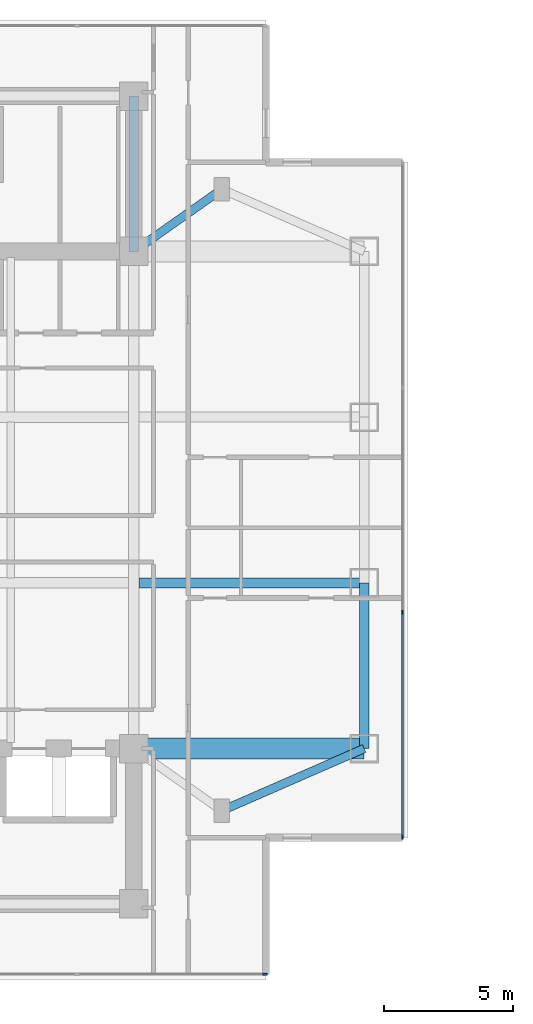
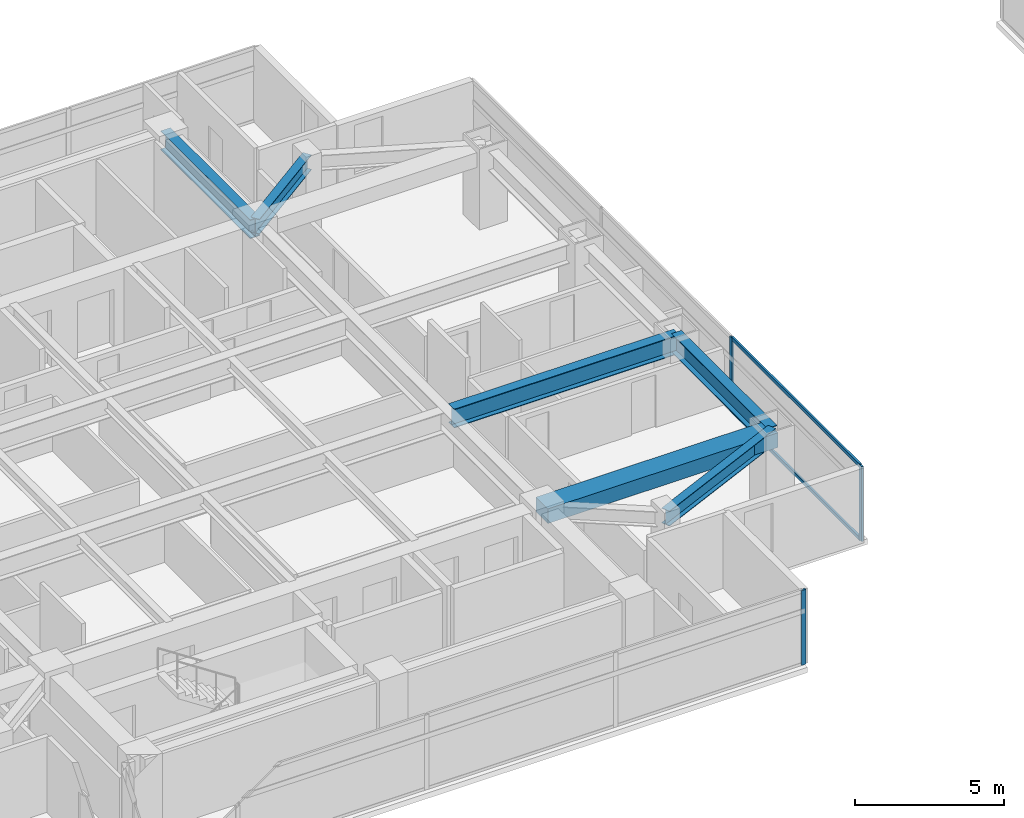
# One storey, part 4 of 24: 6 beams, 5 members, 2 elements without a shape of their own.
"""IFC4 building model written with IfcOpenShell, lengths in metres."""

from ifc_helpers import new_model, si_unit, direction, frame, origin, origin_2d, place, context, subcontext, project, spatial, rectangle, i_section, extrude, material, material_profile, profile_set, type_object, element, aggregate, save


model = new_model("IFC4")

# Units and contexts
model_context = context("Model", 3, precision=1e-05, world=origin(), true_north=direction((0.0, 1.0)))
body_context = subcontext(model_context, "Body", "Model", "MODEL_VIEW")
ifc_project = project(units=[si_unit("LENGTHUNIT", "METRE"), si_unit("AREAUNIT", "SQUARE_METRE"), si_unit("VOLUMEUNIT", "CUBIC_METRE"), si_unit("PLANEANGLEUNIT", "RADIAN"), si_unit("MASSUNIT", "GRAM", prefix="KILO")], contexts=[model_context])

# Site, building, storey
site_placement = place(None, origin())
site = spatial("IfcSite", under=ifc_project, at=site_placement, CompositionType="ELEMENT")
building_placement = place(site_placement, origin())
building = spatial("IfcBuilding", under=site, at=building_placement, Name="Mirazonda Arch Towers", CompositionType="ELEMENT")
storey_placement = place(building_placement, frame((0.0, 0.0, 118.10009765625)))
storey = spatial("IfcBuildingStorey", under=building, at=storey_placement, Name="L33", CompositionType="ELEMENT", Elevation=118.10009765625)

# Beams
ifc_material_1 = material(Name="Steel ASTM A992 Grade 50", Category="steel")
ifc_material_profile_1 = material_profile(ifc_material_1, i_section(OverallWidth=0.381103515625, OverallDepth=0.77294921875, WebThickness=0.0166015625, FlangeThickness=0.027099609375, at=origin_2d()), Name="W30X173")
ifc_profile_set_1 = profile_set([ifc_material_profile_1], Name="Steel ASTM A992 Grade 50")
beam_type_1 = type_object("IfcBeamType", Name="BM-EXT-W30X173", PredefinedType="USERDEFINED", material=ifc_profile_set_1)
beam_1_placement = place(storey_placement, frame((38.89990234375, 18.39990234375, 2.693359375), z_axis=(0.0, 1.0, 0.0), x_axis=(-1.0, 0.0, 0.0)))
element("IfcBeam", 1, at=beam_1_placement, inside=storey, type_object=beam_type_1, Name="L33 Floor Beam BM-T1-L33-NS-E-18", ObjectType="GIRDER", PredefinedType="USERDEFINED", context=body_context, shape_type="SweptSolid", body=[
    extrude(i_section(OverallWidth=0.381103515625, OverallDepth=0.77294921875, WebThickness=0.0166015625, FlangeThickness=0.027099609375, at=origin_2d()), origin(), (0.0, 0.0, 1.0), 6.400146484375),
])
ifc_material_profile_2 = material_profile(ifc_material_1, i_section(OverallWidth=0.324951171875, OverallDepth=0.615966796875, WebThickness=0.013916015625, FlangeThickness=0.021484375, at=origin_2d()), Name="W24X117")
ifc_profile_set_2 = profile_set([ifc_material_profile_2], Name="Steel ASTM A992 Grade 50")
beam_type_2 = type_object("IfcBeamType", Name="BM-INT-W24X117", PredefinedType="BEAM", material=ifc_profile_set_2)
beam_2_placement = place(storey_placement, frame((33.39990234375, 16.0, 2.77197265625), z_axis=(0.916545343703, 0.399930785183, 0.0), x_axis=(-0.399930785183, 0.916545343703, 0.0)))
element("IfcBeam", 2, at=beam_2_placement, inside=storey, type_object=beam_type_2, Name="L33 Floor Beam BM-T1-L33-PL-SE2", PredefinedType="BEAM", context=body_context, shape_type="SweptSolid", body=[
    extrude(i_section(OverallWidth=0.324951171875, OverallDepth=0.615966796875, WebThickness=0.013916015625, FlangeThickness=0.021484375, at=origin_2d()), origin(), (0.0, 0.0, 1.0), 6.000732421875),
])
beam_3_placement = place(storey_placement, frame((33.39990234375, 40.0, 2.77197265625), z_axis=(-0.816971114901, -0.576678591087, 0.0), x_axis=(0.576678591087, -0.816971114901, 0.0)))
element("IfcBeam", 3, at=beam_3_placement, inside=storey, type_object=beam_type_2, Name="L33 Floor Beam BM-T1-L33-PL-NE1", PredefinedType="BEAM", context=body_context, shape_type="SweptSolid", body=[
    extrude(i_section(OverallWidth=0.324951171875, OverallDepth=0.615966796875, WebThickness=0.013916015625, FlangeThickness=0.021484375, at=origin_2d()), origin(), (0.0, 0.0, 1.0), 4.16162109375),
])
ifc_material_profile_3 = material_profile(ifc_material_1, i_section(OverallWidth=0.381103515625, OverallDepth=0.77294921875, WebThickness=0.0166015625, FlangeThickness=0.027099609375, at=origin_2d()), Name="W30X173")
ifc_profile_set_3 = profile_set([ifc_material_profile_3], Name="Steel ASTM A992 Grade 50")
beam_type_3 = type_object("IfcBeamType", Name="BM-INT-W30X173", PredefinedType="USERDEFINED", material=ifc_profile_set_3)
beam_4_placement = place(storey_placement, frame((30.199951171875, 24.800048828125, 2.693359375), z_axis=(1.0, 0.0, 0.0), x_axis=(0.0, 1.0, 0.0)))
element("IfcBeam", 4, at=beam_4_placement, inside=storey, type_object=beam_type_3, Name="L33 Floor Beam BM-T1-L33-GE2", ObjectType="GIRDER", PredefinedType="USERDEFINED", context=body_context, shape_type="SweptSolid", body=[
    extrude(i_section(OverallWidth=0.381103515625, OverallDepth=0.77294921875, WebThickness=0.0166015625, FlangeThickness=0.027099609375, at=origin_2d()), origin(), (0.0, 0.0, 1.0), 8.699951171875),
])
beam_5_placement = place(storey_placement, frame((30.0, 37.60009765625, 2.693359375), z_axis=(0.0, 1.0, 0.0), x_axis=(-1.0, 0.0, 0.0)))
element("IfcBeam", 5, at=beam_5_placement, inside=storey, type_object=beam_type_3, Name="L33 Floor Beam BM-T1-L33-CNE", ObjectType="GIRDER", PredefinedType="USERDEFINED", context=body_context, shape_type="SweptSolid", body=[
    extrude(i_section(OverallWidth=0.381103515625, OverallDepth=0.77294921875, WebThickness=0.0166015625, FlangeThickness=0.027099609375, at=origin_2d()), origin(), (0.0, 0.0, 1.0), 6.0),
])
ifc_material_2 = material(Name="Concrete C60/75", Category="concrete")
ifc_material_profile_4 = material_profile(ifc_material_2, rectangle(XDim=0.800048828125, YDim=0.60009765625, at=origin_2d()), Name="RCCB800x600")
ifc_profile_set_4 = profile_set([ifc_material_profile_4], Name="Concrete C60/75")
beam_type_4 = type_object("IfcBeamType", Name="CB-INT-RCCB800x600", PredefinedType="SPANDREL", material=ifc_profile_set_4)
beam_6_placement = place(storey_placement, frame((30.0, 18.39990234375, 2.77978515625), z_axis=(1.0, 0.0, 0.0), x_axis=(0.0, 1.0, 0.0)))
element("IfcBeam", 6, at=beam_6_placement, inside=storey, type_object=beam_type_4, Name="L33 Floor Beam CBC-T1-L33-SE", PredefinedType="SPANDREL", context=body_context, shape_type="SweptSolid", body=[
    extrude(rectangle(XDim=0.800048828125, YDim=0.60009765625, at=origin_2d()), origin(), (0.0, 0.0, 1.0), 8.89990234375),
])

# Curtain wall, member
ifc_material_3 = material(Name="Anodised Aluminium and Low-E Glass", Category="aluminium")
curtain_wall_type = type_object("IfcCurtainWallType", Name="CW-HTL-UNIT", PredefinedType="NOTDEFINED", material=ifc_material_3)
curtain_wall_1_placement = place(storey_placement, origin())
curtain_wall_1 = element("IfcCurtainWall", 7, at=curtain_wall_1_placement, inside=storey, type_object=curtain_wall_type, Name="L33 T1 S Facade CW-L33-T1-S", PredefinedType="NOTDEFINED")
ifc_material_4 = material(Name="Anodised Aluminium Alloy", Category="aluminium")
ifc_material_profile_5 = material_profile(ifc_material_4, rectangle(XDim=0.074951171875, YDim=0.1650390625, at=origin_2d()), Name="ALU-MULL-75x165")
ifc_profile_set_5 = profile_set([ifc_material_profile_5], Name="Anodised Aluminium Alloy")
member_type_1 = type_object("IfcMemberType", Name="MULL-CW-HTL-UNIT", PredefinedType="MULLION", material=ifc_profile_set_5)
member_1_placement = place(storey_placement, frame((35.072509765625, 9.679931640625, 0.0), z_axis=(0.0, 0.0, 1.0), x_axis=(0.0, -1.0, 0.0)))
member_1 = element("IfcMember", 8, at=member_1_placement, type_object=member_type_1, Name="CW-112 mullion 1", PredefinedType="MULLION", context=body_context, shape_type="SweptSolid", body=[
    extrude(rectangle(XDim=0.074951171875, YDim=0.1650390625, at=origin_2d()), origin(), (0.0, 0.0, 1.0), 3.059814453125),
])
aggregate(curtain_wall_1, [member_1])

# Curtain wall, members
curtain_wall_2_placement = place(storey_placement, origin())
curtain_wall_2 = element("IfcCurtainWall", 9, at=curtain_wall_2_placement, inside=storey, type_object=curtain_wall_type, Name="L33 T1 E Facade CW-L33-T1-E", PredefinedType="NOTDEFINED")
member_2_placement = place(storey_placement, frame((40.3798828125, 14.987548828125, 0.0), z_axis=(0.0, 0.0, 1.0), x_axis=(-1.0, 0.0, 0.0)))
member_2 = element("IfcMember", 10, at=member_2_placement, type_object=member_type_1, Name="CW-112 mullion 1", PredefinedType="MULLION", context=body_context, shape_type="SweptSolid", body=[
    extrude(rectangle(XDim=0.074951171875, YDim=0.1650390625, at=origin_2d()), origin(), (0.0, 0.0, 1.0), 3.059814453125),
])
member_3_placement = place(storey_placement, frame((40.3798828125, 23.64990234375, 0.0), z_axis=(0.0, 0.0, 1.0), x_axis=(-1.0, 0.0, 0.0)))
member_3 = element("IfcMember", 11, at=member_3_placement, type_object=member_type_1, Name="CW-112 mullion 2", PredefinedType="MULLION", context=body_context, shape_type="SweptSolid", body=[
    extrude(rectangle(XDim=0.074951171875, YDim=0.1650390625, at=origin_2d()), origin(), (0.0, 0.0, 1.0), 3.059814453125),
])
ifc_material_profile_6 = material_profile(ifc_material_4, rectangle(XDim=0.074951171875, YDim=0.14501953125, at=origin_2d()), Name="ALU-TRAN-75x145")
ifc_profile_set_6 = profile_set([ifc_material_profile_6], Name="Anodised Aluminium Alloy")
member_type_2 = type_object("IfcMemberType", Name="TRAN-CW-HTL-UNIT", PredefinedType="USERDEFINED", material=ifc_profile_set_6)
member_4_placement = place(storey_placement, frame((40.3798828125, 15.02490234375, 0.037353515625), z_axis=(0.0, 1.0, 0.0), x_axis=(-1.0, 0.0, 0.0)))
member_4 = element("IfcMember", 12, at=member_4_placement, type_object=member_type_2, Name="CW-112 transom 1.1", ObjectType="TRANSOM", PredefinedType="USERDEFINED", context=body_context, shape_type="SweptSolid", body=[
    extrude(rectangle(XDim=0.074951171875, YDim=0.14501953125, at=origin_2d()), origin(), (0.0, 0.0, 1.0), 8.587646484375),
])
member_5_placement = place(storey_placement, frame((40.3798828125, 15.02490234375, 3.0224609375), z_axis=(0.0, 1.0, 0.0), x_axis=(-1.0, 0.0, 0.0)))
member_5 = element("IfcMember", 13, at=member_5_placement, type_object=member_type_2, Name="CW-112 transom 1.2", ObjectType="TRANSOM", PredefinedType="USERDEFINED", context=body_context, shape_type="SweptSolid", body=[
    extrude(rectangle(XDim=0.074951171875, YDim=0.14501953125, at=origin_2d()), origin(), (0.0, 0.0, 1.0), 8.587646484375),
])
aggregate(curtain_wall_2, [member_2, member_3, member_4, member_5])

save(model, "model.ifc")
